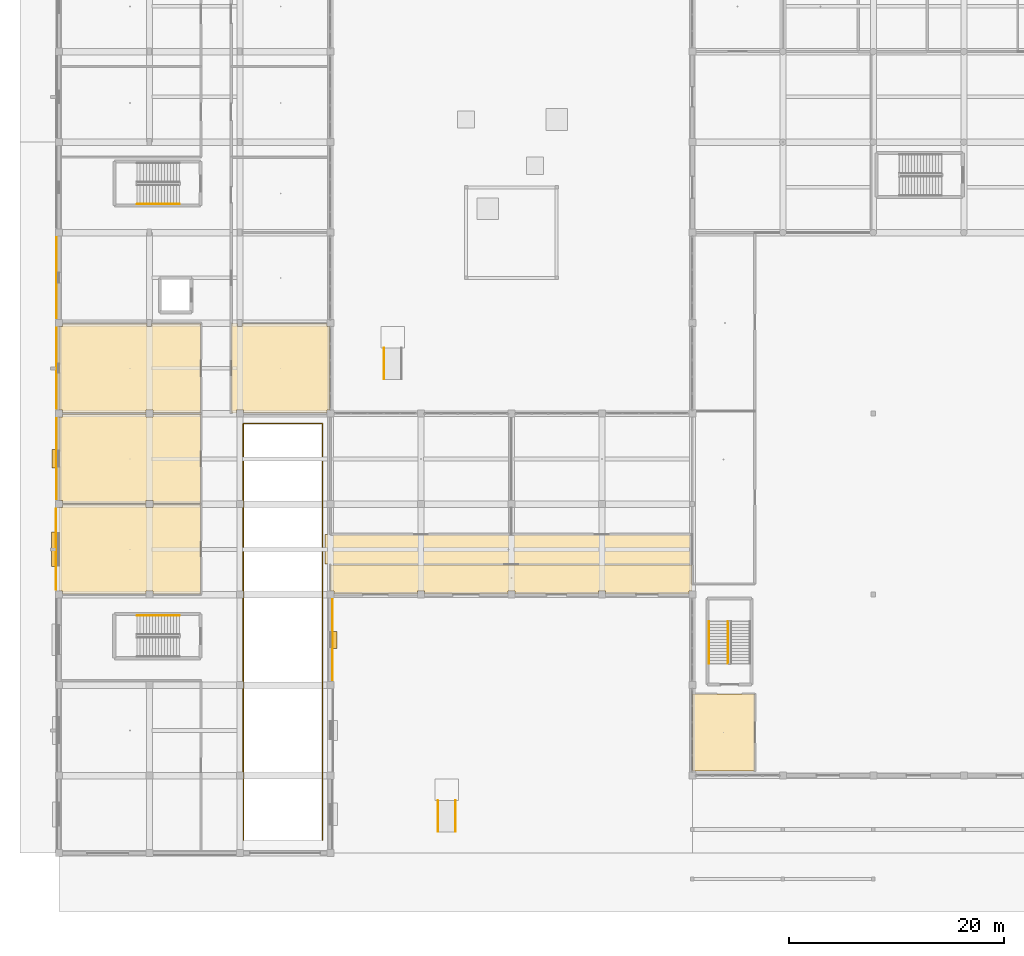
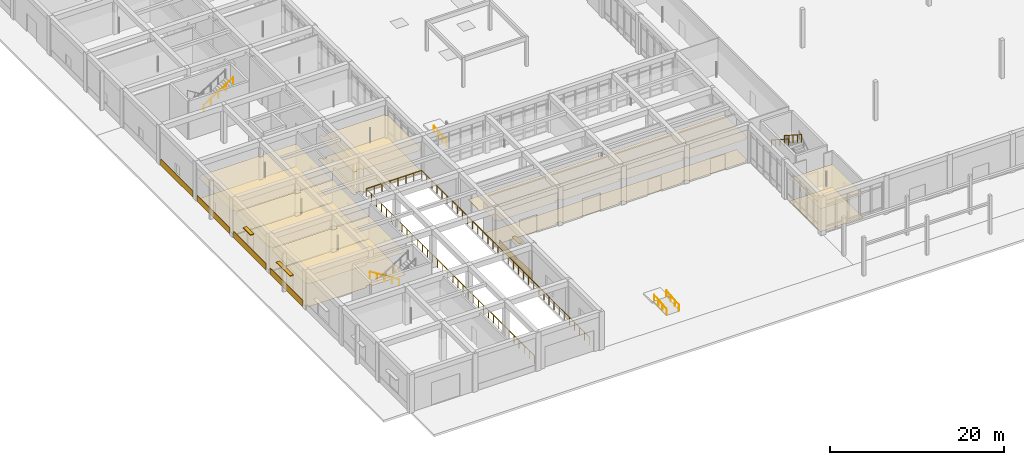
# One storey, part 142 of 167: 18 coverings, 8 railings, 3 shading devices.
"""IFC4 building model written with IfcOpenShell, lengths in metres."""

from ifc_helpers import new_model, si_unit, direction, frame, origin, origin_2d, place, context, subcontext, project, spatial, polyline, rectangle, circle, outline, extrude, material, layer, layer_set, type_object, element, save


model = new_model("IFC4")

# Units and contexts
model_context = context("Model", 3, precision=1e-05, world=origin(), true_north=direction((0.0, 1.0)))
body_context = subcontext(model_context, "Body", "Model", "MODEL_VIEW")
ifc_project = project(units=[si_unit("LENGTHUNIT", "METRE"), si_unit("AREAUNIT", "SQUARE_METRE"), si_unit("VOLUMEUNIT", "CUBIC_METRE"), si_unit("PLANEANGLEUNIT", "RADIAN"), si_unit("MASSUNIT", "GRAM", prefix="KILO")], contexts=[model_context])

# Site, building, storey
site_placement = place(None, origin())
site = spatial("IfcSite", under=ifc_project, at=site_placement, CompositionType="ELEMENT")
building_placement = place(site_placement, origin())
building = spatial("IfcBuilding", under=site, at=building_placement, Name="Varncliffe General Hospital", CompositionType="ELEMENT")
storey_placement = place(building_placement, origin())
storey = spatial("IfcBuildingStorey", under=building, at=storey_placement, Name="L00", CompositionType="ELEMENT", Elevation=0.0)

# Coverings
ifc_material_1 = material(Name="Hygienic antimicrobial acoustic suspended ceiling tile", Category="gypsum")
ifc_layer_1 = layer(ifc_material_1, 0.02490234375)
ifc_layer_set_1 = layer_set([ifc_layer_1], Name="Hygienic antimicrobial acoustic suspended ceiling tile")
covering_type_1 = type_object("IfcCoveringType", Name="Antimicrobial Acoustic Suspended Ceiling CLG44", PredefinedType="CEILING", material=ifc_layer_set_1)
covering_1_placement = place(storey_placement, frame((0.0, 0.0, 3.175048828125)))
element("IfcCovering", 1, at=covering_1_placement, inside=storey, type_object=covering_type_1, Name="L00 Emergency South Corridor L00 Suspended Ceiling", PredefinedType="CEILING", context=body_context, shape_type="SweptSolid", body=[
    extrude(outline(polyline([(58.760009765625, 26.840087890625), (58.760009765625, 29.56005859375), (24.68994140625, 29.56005859375), (24.68994140625, 26.840087890625), (58.760009765625, 26.840087890625)])), origin(), (0.0, 0.0, 1.0), 0.02490234375),
])
covering_2_placement = place(storey_placement, frame((0.0, 0.0, 3.175048828125)))
element("IfcCovering", 2, at=covering_2_placement, inside=storey, type_object=covering_type_1, Name="L00 Fire Command Centre Suspended Ceiling", PredefinedType="CEILING", context=body_context, shape_type="SweptSolid", body=[
    extrude(outline(polyline([(64.56005859375, 7.639892578125), (64.56005859375, 14.760009765625), (58.840087890625, 14.760009765625), (58.840087890625, 7.639892578125), (64.56005859375, 7.639892578125)])), origin(), (0.0, 0.0, 1.0), 0.02490234375),
])
covering_3_placement = place(storey_placement, frame((0.0, 0.0, 3.175048828125)))
element("IfcCovering", 3, at=covering_3_placement, inside=storey, type_object=covering_type_1, Name="L00 Emergency Trauma Resuscitation Bay 1 Suspended Ceiling", PredefinedType="CEILING", context=body_context, shape_type="SweptSolid", body=[
    extrude(outline(polyline([(8.72509765625, 24.0400390625), (8.72509765625, 24.324951171875), (8.074951171875, 24.324951171875), (8.074951171875, 24.0400390625), (0.324951171875, 24.0400390625), (0.324951171875, 24.324951171875), (0.0400390625, 24.324951171875), (0.0400390625, 32.074951171875), (0.324951171875, 32.074951171875), (0.324951171875, 32.360107421875), (8.074951171875, 32.360107421875), (8.074951171875, 32.074951171875), (8.72509765625, 32.074951171875), (8.72509765625, 32.360107421875), (13.159912109375, 32.360107421875), (13.159912109375, 24.0400390625), (8.72509765625, 24.0400390625)])), origin(), (0.0, 0.0, 1.0), 0.02490234375),
])
covering_4_placement = place(storey_placement, frame((0.0, 0.0, 3.175048828125)))
element("IfcCovering", 4, at=covering_4_placement, inside=storey, type_object=covering_type_1, Name="L00 Emergency Trauma Resuscitation Bay 2 Suspended Ceiling", PredefinedType="CEILING", context=body_context, shape_type="SweptSolid", body=[
    extrude(outline(polyline([(8.72509765625, 32.43994140625), (8.72509765625, 32.72509765625), (8.074951171875, 32.72509765625), (8.074951171875, 32.43994140625), (0.324951171875, 32.43994140625), (0.324951171875, 32.72509765625), (0.0400390625, 32.72509765625), (0.0400390625, 40.47509765625), (0.324951171875, 40.47509765625), (0.324951171875, 40.760009765625), (8.074951171875, 40.760009765625), (8.074951171875, 40.47509765625), (8.72509765625, 40.47509765625), (8.72509765625, 40.760009765625), (13.159912109375, 40.760009765625), (13.159912109375, 32.43994140625), (8.72509765625, 32.43994140625)])), origin(), (0.0, 0.0, 1.0), 0.02490234375),
])
covering_5_placement = place(storey_placement, frame((0.0, 0.0, 3.175048828125)))
element("IfcCovering", 5, at=covering_5_placement, inside=storey, type_object=covering_type_1, Name="L00 Emergency Waiting and Triage Reception Suspended Ceiling", PredefinedType="CEILING", context=body_context, shape_type="SweptSolid", body=[
    extrude(outline(polyline([(50.72509765625, 24.324951171875), (50.074951171875, 24.324951171875), (50.074951171875, 24.0400390625), (42.324951171875, 24.0400390625), (42.324951171875, 24.324951171875), (41.675048828125, 24.324951171875), (41.675048828125, 24.0400390625), (33.925048828125, 24.0400390625), (33.925048828125, 24.324951171875), (33.27490234375, 24.324951171875), (33.27490234375, 24.0400390625), (25.52490234375, 24.0400390625), (25.52490234375, 24.324951171875), (25.239990234375, 24.324951171875), (25.239990234375, 26.760009765625), (58.760009765625, 26.760009765625), (58.760009765625, 24.324951171875), (58.47509765625, 24.324951171875), (58.47509765625, 24.0400390625), (50.72509765625, 24.0400390625), (50.72509765625, 24.324951171875)])), origin(), (0.0, 0.0, 1.0), 0.02490234375),
])
covering_6_placement = place(storey_placement, frame((0.0, 0.0, 3.175048828125)))
element("IfcCovering", 6, at=covering_6_placement, inside=storey, type_object=covering_type_1, Name="L00 Diagnostic 3T MRI Imaging Suite 52 Suspended Ceiling", PredefinedType="CEILING", context=body_context, shape_type="SweptSolid", body=[
    extrude(outline(polyline([(8.72509765625, 40.840087890625), (8.72509765625, 41.125), (8.074951171875, 41.125), (8.074951171875, 40.840087890625), (0.324951171875, 40.840087890625), (0.324951171875, 41.125), (0.0400390625, 41.125), (0.0400390625, 48.875), (0.324951171875, 48.875), (0.324951171875, 49.159912109375), (8.175048828125, 49.159912109375), (8.175048828125, 48.875), (8.625, 48.875), (8.625, 49.159912109375), (13.159912109375, 49.159912109375), (13.159912109375, 40.840087890625), (8.72509765625, 40.840087890625)])), origin(), (0.0, 0.0, 1.0), 0.02490234375),
])
covering_7_placement = place(storey_placement, frame((0.0, 0.0, 3.175048828125)))
element("IfcCovering", 7, at=covering_7_placement, inside=storey, type_object=covering_type_1, Name="L00 Diagnostic 3T MRI Imaging Suite 55 Suspended Ceiling", PredefinedType="CEILING", context=body_context, shape_type="SweptSolid", body=[
    extrude(outline(polyline([(16.574951171875, 48.875), (17.02490234375, 48.875), (17.02490234375, 49.159912109375), (24.875, 49.159912109375), (24.875, 48.875), (25.159912109375, 48.875), (25.159912109375, 41.125), (24.875, 41.125), (24.875, 40.840087890625), (17.125, 40.840087890625), (17.125, 41.125), (16.47509765625, 41.125), (16.47509765625, 40.840087890625), (16.0400390625, 40.840087890625), (16.0400390625, 49.159912109375), (16.574951171875, 49.159912109375), (16.574951171875, 48.875)])), origin(), (0.0, 0.0, 1.0), 0.02490234375),
])

# Shading devices
ifc_material_2 = material(Name="Dark bronze extruded aluminium solar jalousie louvres", Category="aluminium")
ifc_layer_2 = layer(ifc_material_2, 0.080078125)
ifc_layer_set_2 = layer_set([ifc_layer_2], Name="Dark bronze extruded aluminium solar jalousie louvres")
shading_device_type = type_object("IfcShadingDeviceType", Name="Bronze Solar Jalousie Louvre Hood SHD18", PredefinedType="JALOUSIE", material=ifc_layer_set_2)
shading_device_1_placement = place(storey_placement, frame((25.614990234375, 19.800048828125, 3.06005859375), z_axis=(0.0, 0.0, 1.0), x_axis=(0.0, -1.0, 0.0)))
element("IfcShadingDevice", 8, at=shading_device_1_placement, inside=storey, type_object=shading_device_type, Name="L00 Bronze Window Sun-Shading Louvre 11", PredefinedType="JALOUSIE", context=body_context, shape_type="SweptSolid", body=[
    extrude(rectangle(XDim=1.60009765625, YDim=0.449951171875, at=origin_2d()), origin(), (0.0, 0.0, 1.0), 0.080078125),
])
shading_device_2_placement = place(storey_placement, frame((-0.449951171875, 28.199951171875, 3.06005859375), z_axis=(0.0, 0.0, 1.0), x_axis=(0.0, 1.0, 0.0)))
element("IfcShadingDevice", 9, at=shading_device_2_placement, inside=storey, type_object=shading_device_type, Name="L00 Bronze Window Sun-Shading Louvre 17", PredefinedType="JALOUSIE", context=body_context, shape_type="SweptSolid", body=[
    extrude(rectangle(XDim=3.199951171875, YDim=0.449951171875, at=origin_2d()), origin(), (0.0, 0.0, 1.0), 0.080078125),
])
shading_device_3_placement = place(storey_placement, frame((-0.425048828125, 36.60009765625, 3.260009765625), z_axis=(0.0, 0.0, 1.0), x_axis=(0.0, 1.0, 0.0)))
element("IfcShadingDevice", 10, at=shading_device_3_placement, inside=storey, type_object=shading_device_type, Name="L00 Bronze Window Sun-Shading Louvre 18", PredefinedType="JALOUSIE", context=body_context, shape_type="SweptSolid", body=[
    extrude(rectangle(XDim=1.699951171875, YDim=0.449951171875, at=origin_2d()), origin(), (0.0, 0.0, 1.0), 0.080078125),
])

# Coverings
ifc_material_3 = material(Name="Credit Valley buff limestone ashlar cladding", Category="masonry")
ifc_layer_3 = layer(ifc_material_3, 0.050048828125)
ifc_layer_set_3 = layer_set([ifc_layer_3], Name="Credit Valley buff limestone ashlar cladding")
covering_type_2 = type_object("IfcCoveringType", Name="Credit Valley Limestone Ashlar Plinth Cladding CLD17", PredefinedType="CLADDING", material=ifc_layer_set_3)
for number, where, z_axis, x_axis, name in (
    (11, (-0.22509765625, 45.0, 0.010009765625), (0.0, 0.0, 1.0), (0.0, 1.0, 0.0), "L00 Limestone Base Cladding 1"),
    (12, (-0.215087890625, 53.39990234375, 0.010009765625), (0.0, 0.0, 1.0), (0.0, 1.0, 0.0), "L00 Limestone Base Cladding 2"),
    (13, (25.4150390625, 19.800048828125, 0.010009765625), (0.0, 0.0, 1.0), (0.0, -1.0, 0.0), "L00 Limestone Base Cladding 40"),
    (14, (-0.25, 28.199951171875, 0.010009765625), (0.0, 0.0, 1.0), (0.0, 1.0, 0.0), "L00 Limestone Base Cladding 47"),
    (15, (-0.22509765625, 36.60009765625, 0.010009765625), (0.0, 0.0, 1.0), (0.0, 1.0, 0.0), "L00 Limestone Base Cladding 48"),
):
    element("IfcCovering", number, at=place(storey_placement, frame(where, z_axis=z_axis, x_axis=x_axis)), inside=storey, type_object=covering_type_2, Name=name, PredefinedType="CLADDING", context=body_context, shape_type="SweptSolid", body=[
        extrude(rectangle(XDim=7.513916015625, YDim=0.050048828125, at=origin_2d()), origin(), (0.0, 0.0, 1.0), 0.8798828125),
    ])

# Railing
ifc_material_4 = material(Name="Powder-coated wrought-iron and bronze balustrade", Category="steel")
railing_type_1 = type_object("IfcRailingType", Name="Perimeter Safety Guardrail GR27", PredefinedType="GUARDRAIL", material=ifc_material_4)
railing_1_placement = place(storey_placement, frame((17.1201171875, 1.199951171875, 0.0)))
element("IfcRailing", 16, at=railing_1_placement, inside=storey, type_object=railing_type_1, Name="L00 Car-Park Ramp Shaft Perimeter Guardrail", PredefinedType="GUARDRAIL", context=body_context, shape_type="SweptSolid", body=[
    extrude(circle(Radius=0.02392578125, at=origin_2d()), frame((0.0, 0.0, 1.09619140625), z_axis=(0.0, 1.0, 0.0), x_axis=(-1.0, 0.0, 0.0)), (0.0, 0.0, 1.0), 38.679931640625),
    extrude(circle(Radius=0.02392578125, at=origin_2d()), frame((0.0, 38.679931640625, 1.09619140625), z_axis=(1.0, 0.0, 0.0), x_axis=(0.0, 1.0, 0.0)), (0.0, 0.0, 1.0), 7.35986328125),
    extrude(circle(Radius=0.02392578125, at=origin_2d()), frame((7.35986328125, 38.679931640625, 1.09619140625), z_axis=(0.0, -1.0, 0.0), x_axis=(1.0, 0.0, 0.0)), (0.0, 0.0, 1.0), 38.679931640625),
    extrude(circle(Radius=0.02099609375, at=origin_2d()), origin(), (0.0, 0.0, 1.0), 1.072021484375),
    extrude(circle(Radius=0.02099609375, at=origin_2d()), frame((0.0, 1.172119140625, 0.0)), (0.0, 0.0, 1.0), 1.072021484375),
    extrude(circle(Radius=0.02099609375, at=origin_2d()), frame((0.0, 2.34423828125, 0.0)), (0.0, 0.0, 1.0), 1.072021484375),
    extrude(circle(Radius=0.02099609375, at=origin_2d()), frame((0.0, 3.516357421875, 0.0)), (0.0, 0.0, 1.0), 1.072021484375),
    extrude(circle(Radius=0.02099609375, at=origin_2d()), frame((0.0, 4.6884765625, 0.0)), (0.0, 0.0, 1.0), 1.072021484375),
    extrude(circle(Radius=0.02099609375, at=origin_2d()), frame((0.0, 5.860595703125, 0.0)), (0.0, 0.0, 1.0), 1.072021484375),
    extrude(circle(Radius=0.02099609375, at=origin_2d()), frame((0.0, 7.03271484375, 0.0)), (0.0, 0.0, 1.0), 1.072021484375),
    extrude(circle(Radius=0.02099609375, at=origin_2d()), frame((0.0, 8.204833984375, 0.0)), (0.0, 0.0, 1.0), 1.072021484375),
    extrude(circle(Radius=0.02099609375, at=origin_2d()), frame((0.0, 9.376953125, 0.0)), (0.0, 0.0, 1.0), 1.072021484375),
    extrude(circle(Radius=0.02099609375, at=origin_2d()), frame((0.0, 10.549072265625, 0.0)), (0.0, 0.0, 1.0), 1.072021484375),
    extrude(circle(Radius=0.02099609375, at=origin_2d()), frame((0.0, 11.72119140625, 0.0)), (0.0, 0.0, 1.0), 1.072021484375),
    extrude(circle(Radius=0.02099609375, at=origin_2d()), frame((0.0, 12.893310546875, 0.0)), (0.0, 0.0, 1.0), 1.072021484375),
    extrude(circle(Radius=0.02099609375, at=origin_2d()), frame((0.0, 14.0654296875, 0.0)), (0.0, 0.0, 1.0), 1.072021484375),
    extrude(circle(Radius=0.02099609375, at=origin_2d()), frame((0.0, 15.237548828125, 0.0)), (0.0, 0.0, 1.0), 1.072021484375),
    extrude(circle(Radius=0.02099609375, at=origin_2d()), frame((0.0, 16.40966796875, 0.0)), (0.0, 0.0, 1.0), 1.072021484375),
    extrude(circle(Radius=0.02099609375, at=origin_2d()), frame((0.0, 17.581787109375, 0.0)), (0.0, 0.0, 1.0), 1.072021484375),
    extrude(circle(Radius=0.02099609375, at=origin_2d()), frame((0.0, 18.75390625, 0.0)), (0.0, 0.0, 1.0), 1.072021484375),
    extrude(circle(Radius=0.02099609375, at=origin_2d()), frame((0.0, 19.926025390625, 0.0)), (0.0, 0.0, 1.0), 1.072021484375),
    extrude(circle(Radius=0.02099609375, at=origin_2d()), frame((0.0, 21.09814453125, 0.0)), (0.0, 0.0, 1.0), 1.072021484375),
    extrude(circle(Radius=0.02099609375, at=origin_2d()), frame((0.0, 22.270263671875, 0.0)), (0.0, 0.0, 1.0), 1.072021484375),
    extrude(circle(Radius=0.02099609375, at=origin_2d()), frame((0.0, 23.4423828125, 0.0)), (0.0, 0.0, 1.0), 1.072021484375),
    extrude(circle(Radius=0.02099609375, at=origin_2d()), frame((0.0, 24.614501953125, 0.0)), (0.0, 0.0, 1.0), 1.072021484375),
    extrude(circle(Radius=0.02099609375, at=origin_2d()), frame((0.0, 25.78662109375, 0.0)), (0.0, 0.0, 1.0), 1.072021484375),
    extrude(circle(Radius=0.02099609375, at=origin_2d()), frame((0.0, 26.958740234375, 0.0)), (0.0, 0.0, 1.0), 1.072021484375),
    extrude(circle(Radius=0.02099609375, at=origin_2d()), frame((0.0, 28.130859375, 0.0)), (0.0, 0.0, 1.0), 1.072021484375),
    extrude(circle(Radius=0.02099609375, at=origin_2d()), frame((0.0, 29.302978515625, 0.0)), (0.0, 0.0, 1.0), 1.072021484375),
    extrude(circle(Radius=0.02099609375, at=origin_2d()), frame((0.0, 30.47509765625, 0.0)), (0.0, 0.0, 1.0), 1.072021484375),
    extrude(circle(Radius=0.02099609375, at=origin_2d()), frame((0.0, 31.647216796875, 0.0)), (0.0, 0.0, 1.0), 1.072021484375),
    extrude(circle(Radius=0.02099609375, at=origin_2d()), frame((0.0, 32.8193359375, 0.0)), (0.0, 0.0, 1.0), 1.072021484375),
    extrude(circle(Radius=0.02099609375, at=origin_2d()), frame((0.0, 33.991455078125, 0.0)), (0.0, 0.0, 1.0), 1.072021484375),
    extrude(circle(Radius=0.02099609375, at=origin_2d()), frame((0.0, 35.16357421875, 0.0)), (0.0, 0.0, 1.0), 1.072021484375),
    extrude(circle(Radius=0.02099609375, at=origin_2d()), frame((0.0, 36.335693359375, 0.0)), (0.0, 0.0, 1.0), 1.072021484375),
    extrude(circle(Radius=0.02099609375, at=origin_2d()), frame((0.0, 37.5078125, 0.0)), (0.0, 0.0, 1.0), 1.072021484375),
    extrude(circle(Radius=0.02099609375, at=origin_2d()), frame((0.0, 38.679931640625, 0.0)), (0.0, 0.0, 1.0), 1.072021484375),
    extrude(circle(Radius=0.02099609375, at=origin_2d()), frame((1.051513671875, 38.679931640625, 0.0)), (0.0, 0.0, 1.0), 1.072021484375),
    extrude(circle(Radius=0.02099609375, at=origin_2d()), frame((2.102783203125, 38.679931640625, 0.0)), (0.0, 0.0, 1.0), 1.072021484375),
    extrude(circle(Radius=0.02099609375, at=origin_2d()), frame((3.154296875, 38.679931640625, 0.0)), (0.0, 0.0, 1.0), 1.072021484375),
    extrude(circle(Radius=0.02099609375, at=origin_2d()), frame((4.20556640625, 38.679931640625, 0.0)), (0.0, 0.0, 1.0), 1.072021484375),
    extrude(circle(Radius=0.02099609375, at=origin_2d()), frame((5.257080078125, 38.679931640625, 0.0)), (0.0, 0.0, 1.0), 1.072021484375),
    extrude(circle(Radius=0.02099609375, at=origin_2d()), frame((6.308349609375, 38.679931640625, 0.0)), (0.0, 0.0, 1.0), 1.072021484375),
    extrude(circle(Radius=0.02099609375, at=origin_2d()), frame((7.35986328125, 38.679931640625, 0.0)), (0.0, 0.0, 1.0), 1.072021484375),
    extrude(circle(Radius=0.02099609375, at=origin_2d()), frame((7.35986328125, 37.5078125, 0.0)), (0.0, 0.0, 1.0), 1.072021484375),
    extrude(circle(Radius=0.02099609375, at=origin_2d()), frame((7.35986328125, 36.335693359375, 0.0)), (0.0, 0.0, 1.0), 1.072021484375),
    extrude(circle(Radius=0.02099609375, at=origin_2d()), frame((7.35986328125, 35.16357421875, 0.0)), (0.0, 0.0, 1.0), 1.072021484375),
    extrude(circle(Radius=0.02099609375, at=origin_2d()), frame((7.35986328125, 33.991455078125, 0.0)), (0.0, 0.0, 1.0), 1.072021484375),
    extrude(circle(Radius=0.02099609375, at=origin_2d()), frame((7.35986328125, 32.8193359375, 0.0)), (0.0, 0.0, 1.0), 1.072021484375),
    extrude(circle(Radius=0.02099609375, at=origin_2d()), frame((7.35986328125, 31.647216796875, 0.0)), (0.0, 0.0, 1.0), 1.072021484375),
    extrude(circle(Radius=0.02099609375, at=origin_2d()), frame((7.35986328125, 30.47509765625, 0.0)), (0.0, 0.0, 1.0), 1.072021484375),
    extrude(circle(Radius=0.02099609375, at=origin_2d()), frame((7.35986328125, 29.302978515625, 0.0)), (0.0, 0.0, 1.0), 1.072021484375),
    extrude(circle(Radius=0.02099609375, at=origin_2d()), frame((7.35986328125, 28.130859375, 0.0)), (0.0, 0.0, 1.0), 1.072021484375),
    extrude(circle(Radius=0.02099609375, at=origin_2d()), frame((7.35986328125, 26.958740234375, 0.0)), (0.0, 0.0, 1.0), 1.072021484375),
    extrude(circle(Radius=0.02099609375, at=origin_2d()), frame((7.35986328125, 25.78662109375, 0.0)), (0.0, 0.0, 1.0), 1.072021484375),
    extrude(circle(Radius=0.02099609375, at=origin_2d()), frame((7.35986328125, 24.614501953125, 0.0)), (0.0, 0.0, 1.0), 1.072021484375),
    extrude(circle(Radius=0.02099609375, at=origin_2d()), frame((7.35986328125, 23.4423828125, 0.0)), (0.0, 0.0, 1.0), 1.072021484375),
    extrude(circle(Radius=0.02099609375, at=origin_2d()), frame((7.35986328125, 22.270263671875, 0.0)), (0.0, 0.0, 1.0), 1.072021484375),
    extrude(circle(Radius=0.02099609375, at=origin_2d()), frame((7.35986328125, 21.09814453125, 0.0)), (0.0, 0.0, 1.0), 1.072021484375),
    extrude(circle(Radius=0.02099609375, at=origin_2d()), frame((7.35986328125, 19.926025390625, 0.0)), (0.0, 0.0, 1.0), 1.072021484375),
    extrude(circle(Radius=0.02099609375, at=origin_2d()), frame((7.35986328125, 18.75390625, 0.0)), (0.0, 0.0, 1.0), 1.072021484375),
    extrude(circle(Radius=0.02099609375, at=origin_2d()), frame((7.35986328125, 17.581787109375, 0.0)), (0.0, 0.0, 1.0), 1.072021484375),
    extrude(circle(Radius=0.02099609375, at=origin_2d()), frame((7.35986328125, 16.40966796875, 0.0)), (0.0, 0.0, 1.0), 1.072021484375),
    extrude(circle(Radius=0.02099609375, at=origin_2d()), frame((7.35986328125, 15.237548828125, 0.0)), (0.0, 0.0, 1.0), 1.072021484375),
    extrude(circle(Radius=0.02099609375, at=origin_2d()), frame((7.35986328125, 14.0654296875, 0.0)), (0.0, 0.0, 1.0), 1.072021484375),
    extrude(circle(Radius=0.02099609375, at=origin_2d()), frame((7.35986328125, 12.893310546875, 0.0)), (0.0, 0.0, 1.0), 1.072021484375),
    extrude(circle(Radius=0.02099609375, at=origin_2d()), frame((7.35986328125, 11.72119140625, 0.0)), (0.0, 0.0, 1.0), 1.072021484375),
    extrude(circle(Radius=0.02099609375, at=origin_2d()), frame((7.35986328125, 10.549072265625, 0.0)), (0.0, 0.0, 1.0), 1.072021484375),
    extrude(circle(Radius=0.02099609375, at=origin_2d()), frame((7.35986328125, 9.376953125, 0.0)), (0.0, 0.0, 1.0), 1.072021484375),
    extrude(circle(Radius=0.02099609375, at=origin_2d()), frame((7.35986328125, 8.204833984375, 0.0)), (0.0, 0.0, 1.0), 1.072021484375),
    extrude(circle(Radius=0.02099609375, at=origin_2d()), frame((7.35986328125, 7.03271484375, 0.0)), (0.0, 0.0, 1.0), 1.072021484375),
    extrude(circle(Radius=0.02099609375, at=origin_2d()), frame((7.35986328125, 5.860595703125, 0.0)), (0.0, 0.0, 1.0), 1.072021484375),
    extrude(circle(Radius=0.02099609375, at=origin_2d()), frame((7.35986328125, 4.6884765625, 0.0)), (0.0, 0.0, 1.0), 1.072021484375),
    extrude(circle(Radius=0.02099609375, at=origin_2d()), frame((7.35986328125, 3.516357421875, 0.0)), (0.0, 0.0, 1.0), 1.072021484375),
    extrude(circle(Radius=0.02099609375, at=origin_2d()), frame((7.35986328125, 2.34423828125, 0.0)), (0.0, 0.0, 1.0), 1.072021484375),
    extrude(circle(Radius=0.02099609375, at=origin_2d()), frame((7.35986328125, 1.172119140625, 0.0)), (0.0, 0.0, 1.0), 1.072021484375),
    extrude(circle(Radius=0.02099609375, at=origin_2d()), frame((7.35986328125, 0.0, 0.0)), (0.0, 0.0, 1.0), 1.072021484375),
])

# Coverings
ifc_material_5 = material(Name="Seamless welded hospital sheet linoleum and terrazzo flooring", Category="linoleum")
ifc_layer_4 = layer(ifc_material_5, 0.011962890625)
ifc_layer_set_4 = layer_set([ifc_layer_4], Name="Seamless welded hospital sheet linoleum and terrazzo flooring")
covering_type_3 = type_object("IfcCoveringType", Name="Seamless Hospital Linoleum Flooring FLR19", PredefinedType="FLOORING", material=ifc_layer_set_4)
covering_8_placement = place(storey_placement, origin())
element("IfcCovering", 17, at=covering_8_placement, inside=storey, type_object=covering_type_3, Name="L00 Fire Command Centre Seamless Flooring", PredefinedType="FLOORING", context=body_context, shape_type="SweptSolid", body=[
    extrude(outline(polyline([(64.56005859375, 7.639892578125), (64.56005859375, 14.760009765625), (58.840087890625, 14.760009765625), (58.840087890625, 7.639892578125), (64.56005859375, 7.639892578125)])), origin(), (0.0, 0.0, 1.0), 0.011962890625),
])
covering_9_placement = place(storey_placement, origin())
element("IfcCovering", 18, at=covering_9_placement, inside=storey, type_object=covering_type_3, Name="L00 Emergency Trauma Resuscitation Bay 1 Seamless Flooring", PredefinedType="FLOORING", context=body_context, shape_type="SweptSolid", body=[
    extrude(outline(polyline([(8.72509765625, 24.0400390625), (8.72509765625, 24.324951171875), (8.074951171875, 24.324951171875), (8.074951171875, 24.0400390625), (0.324951171875, 24.0400390625), (0.324951171875, 24.324951171875), (0.0400390625, 24.324951171875), (0.0400390625, 32.074951171875), (0.324951171875, 32.074951171875), (0.324951171875, 32.360107421875), (8.074951171875, 32.360107421875), (8.074951171875, 32.074951171875), (8.72509765625, 32.074951171875), (8.72509765625, 32.360107421875), (13.159912109375, 32.360107421875), (13.159912109375, 24.0400390625), (8.72509765625, 24.0400390625)])), origin(), (0.0, 0.0, 1.0), 0.011962890625),
])
covering_10_placement = place(storey_placement, origin())
element("IfcCovering", 19, at=covering_10_placement, inside=storey, type_object=covering_type_3, Name="L00 Emergency Trauma Resuscitation Bay 2 Seamless Flooring", PredefinedType="FLOORING", context=body_context, shape_type="SweptSolid", body=[
    extrude(outline(polyline([(8.72509765625, 32.43994140625), (8.72509765625, 32.72509765625), (8.074951171875, 32.72509765625), (8.074951171875, 32.43994140625), (0.324951171875, 32.43994140625), (0.324951171875, 32.72509765625), (0.0400390625, 32.72509765625), (0.0400390625, 40.47509765625), (0.324951171875, 40.47509765625), (0.324951171875, 40.760009765625), (8.074951171875, 40.760009765625), (8.074951171875, 40.47509765625), (8.72509765625, 40.47509765625), (8.72509765625, 40.760009765625), (13.159912109375, 40.760009765625), (13.159912109375, 32.43994140625), (8.72509765625, 32.43994140625)])), origin(), (0.0, 0.0, 1.0), 0.011962890625),
])
covering_11_placement = place(storey_placement, origin())
element("IfcCovering", 20, at=covering_11_placement, inside=storey, type_object=covering_type_3, Name="L00 Emergency Waiting and Triage Reception Seamless Flooring", PredefinedType="FLOORING", context=body_context, shape_type="SweptSolid", body=[
    extrude(outline(polyline([(50.72509765625, 24.324951171875), (50.074951171875, 24.324951171875), (50.074951171875, 24.0400390625), (42.324951171875, 24.0400390625), (42.324951171875, 24.324951171875), (41.675048828125, 24.324951171875), (41.675048828125, 24.0400390625), (33.925048828125, 24.0400390625), (33.925048828125, 24.324951171875), (33.27490234375, 24.324951171875), (33.27490234375, 24.0400390625), (25.52490234375, 24.0400390625), (25.52490234375, 24.324951171875), (25.239990234375, 24.324951171875), (25.239990234375, 26.760009765625), (58.760009765625, 26.760009765625), (58.760009765625, 24.324951171875), (58.47509765625, 24.324951171875), (58.47509765625, 24.0400390625), (50.72509765625, 24.0400390625), (50.72509765625, 24.324951171875)])), origin(), (0.0, 0.0, 1.0), 0.011962890625),
])
covering_12_placement = place(storey_placement, origin())
element("IfcCovering", 21, at=covering_12_placement, inside=storey, type_object=covering_type_3, Name="L00 Diagnostic 3T MRI Imaging Suite 52 Seamless Flooring", PredefinedType="FLOORING", context=body_context, shape_type="SweptSolid", body=[
    extrude(outline(polyline([(8.72509765625, 40.840087890625), (8.72509765625, 41.125), (8.074951171875, 41.125), (8.074951171875, 40.840087890625), (0.324951171875, 40.840087890625), (0.324951171875, 41.125), (0.0400390625, 41.125), (0.0400390625, 48.875), (0.324951171875, 48.875), (0.324951171875, 49.159912109375), (8.175048828125, 49.159912109375), (8.175048828125, 48.875), (8.625, 48.875), (8.625, 49.159912109375), (13.159912109375, 49.159912109375), (13.159912109375, 40.840087890625), (8.72509765625, 40.840087890625)])), origin(), (0.0, 0.0, 1.0), 0.011962890625),
])
covering_13_placement = place(storey_placement, origin())
element("IfcCovering", 22, at=covering_13_placement, inside=storey, type_object=covering_type_3, Name="L00 Diagnostic 3T MRI Imaging Suite 55 Seamless Flooring", PredefinedType="FLOORING", context=body_context, shape_type="SweptSolid", body=[
    extrude(outline(polyline([(16.574951171875, 48.875), (17.02490234375, 48.875), (17.02490234375, 49.159912109375), (24.875, 49.159912109375), (24.875, 48.875), (25.159912109375, 48.875), (25.159912109375, 41.125), (24.875, 41.125), (24.875, 40.840087890625), (17.125, 40.840087890625), (17.125, 41.125), (16.47509765625, 41.125), (16.47509765625, 40.840087890625), (16.0400390625, 40.840087890625), (16.0400390625, 49.159912109375), (16.574951171875, 49.159912109375), (16.574951171875, 48.875)])), origin(), (0.0, 0.0, 1.0), 0.011962890625),
])

# Railings
ifc_material_6 = material(Name="Powder-coated hospital steel guardrail and handrail", Category="steel")
railing_type_2 = type_object("IfcRailingType", Name="Stair and Ramp Handrail HR46", PredefinedType="HANDRAIL", material=ifc_material_6)
railing_2_placement = place(storey_placement, frame((7.280029296875, 60.25, 3.06396484375)))
element("IfcRailing", 23, at=railing_2_placement, inside=storey, type_object=railing_type_2, Name="L00 ST05 stair handrail 2", PredefinedType="HANDRAIL", context=body_context, shape_type="SweptSolid", body=[
    extrude(circle(Radius=0.02392578125, at=origin_2d()), frame((0.0, 0.0, 0.8759765625), z_axis=(0.841171666519, 0.0, 0.540768182723), x_axis=(0.0, 1.0, 0.0)), (0.0, 0.0, 1.0), 4.66015625),
    extrude(circle(Radius=0.02099609375, at=origin_2d()), origin(), (0.0, 0.0, 1.0), 0.851806640625),
    extrude(circle(Radius=0.02099609375, at=origin_2d()), frame((0.97998046875, 0.0, 0.6298828125)), (0.0, 0.0, 1.0), 0.851806640625),
    extrude(circle(Radius=0.02099609375, at=origin_2d()), frame((1.9599609375, 0.0, 1.260009765625)), (0.0, 0.0, 1.0), 0.851806640625),
    extrude(circle(Radius=0.02099609375, at=origin_2d()), frame((2.93994140625, 0.0, 1.89013671875)), (0.0, 0.0, 1.0), 0.851806640625),
    extrude(circle(Radius=0.02099609375, at=origin_2d()), frame((3.919921875, 0.0, 2.52001953125)), (0.0, 0.0, 1.0), 0.851806640625),
])
railing_3_placement = place(storey_placement, frame((11.199951171875, 22.050048828125, 0.364013671875)))
element("IfcRailing", 24, at=railing_3_placement, inside=storey, type_object=railing_type_2, Name="L00 ST08 stair handrail 1", PredefinedType="HANDRAIL", context=body_context, shape_type="SweptSolid", body=[
    extrude(circle(Radius=0.02392578125, at=origin_2d()), frame((0.0, 0.0, 0.8759765625), z_axis=(-0.841171666519, 0.0, 0.540768182723), x_axis=(0.0, -1.0, 0.0)), (0.0, 0.0, 1.0), 4.66015625),
    extrude(circle(Radius=0.02099609375, at=origin_2d()), origin(), (0.0, 0.0, 1.0), 0.851806640625),
    extrude(circle(Radius=0.02099609375, at=origin_2d()), frame((-0.97998046875, 0.0, 0.6298828125)), (0.0, 0.0, 1.0), 0.851806640625),
    extrude(circle(Radius=0.02099609375, at=origin_2d()), frame((-1.9599609375, 0.0, 1.260009765625)), (0.0, 0.0, 1.0), 0.851806640625),
    extrude(circle(Radius=0.02099609375, at=origin_2d()), frame((-2.93994140625, 0.0, 1.89013671875)), (0.0, 0.0, 1.0), 0.851806640625),
    extrude(circle(Radius=0.02099609375, at=origin_2d()), frame((-3.919921875, 0.0, 2.52001953125)), (0.0, 0.0, 1.0), 0.851806640625),
])
railing_4_placement = place(storey_placement, frame((60.35009765625, 21.52001953125, 3.06396484375)))
element("IfcRailing", 25, at=railing_4_placement, inside=storey, type_object=railing_type_2, Name="L00 ST09 stair handrail 2", PredefinedType="HANDRAIL", context=body_context, shape_type="SweptSolid", body=[
    extrude(circle(Radius=0.02392578125, at=origin_2d()), frame((0.0, 0.0, 0.8759765625), z_axis=(0.0, -0.841171666519, 0.540768182723), x_axis=(1.0, 0.0, 0.0)), (0.0, 0.0, 1.0), 4.66015625),
    extrude(circle(Radius=0.02099609375, at=origin_2d()), origin(), (0.0, 0.0, 1.0), 0.851806640625),
    extrude(circle(Radius=0.02099609375, at=origin_2d()), frame((0.0, -0.97998046875, 0.6298828125)), (0.0, 0.0, 1.0), 0.851806640625),
    extrude(circle(Radius=0.02099609375, at=origin_2d()), frame((0.0, -1.9599609375, 1.260009765625)), (0.0, 0.0, 1.0), 0.851806640625),
    extrude(circle(Radius=0.02099609375, at=origin_2d()), frame((0.0, -2.93994140625, 1.89013671875)), (0.0, 0.0, 1.0), 0.851806640625),
    extrude(circle(Radius=0.02099609375, at=origin_2d()), frame((0.0, -3.919921875, 2.52001953125)), (0.0, 0.0, 1.0), 0.851806640625),
])
for number, where, name in (
    (26, (35.179931640625, 2.0, 0.0), "South-West Forecourt Barrier-Free Ramp Handrail L"),
    (27, (36.820068359375, 2.0, 0.0), "South-West Forecourt Barrier-Free Ramp Handrail R"),
    (28, (30.179931640625, 44.0, 0.0), "West Cloister Garden Barrier-Free Ramp Handrail L"),
):
    element("IfcRailing", number, at=place(storey_placement, frame(where)), inside=storey, type_object=railing_type_2, Name=name, PredefinedType="HANDRAIL", context=body_context, shape_type="SweptSolid", body=[
        extrude(circle(Radius=0.02392578125, at=origin_2d()), frame((0.0, 0.0, 0.8759765625), z_axis=(0.0, 0.996545758245, 0.083045479854), x_axis=(-1.0, 0.0, 0.0)), (0.0, 0.0, 1.0), 2.889892578125),
        extrude(circle(Radius=0.02099609375, at=origin_2d()), origin(), (0.0, 0.0, 1.0), 0.851806640625),
        extrude(circle(Radius=0.02099609375, at=origin_2d()), frame((0.0, 0.9599609375, 0.080078125)), (0.0, 0.0, 1.0), 0.851806640625),
        extrude(circle(Radius=0.02099609375, at=origin_2d()), frame((0.0, 1.919921875, 0.159912109375)), (0.0, 0.0, 1.0), 0.851806640625),
        extrude(circle(Radius=0.02099609375, at=origin_2d()), frame((0.0, 2.8798828125, 0.239990234375)), (0.0, 0.0, 1.0), 0.851806640625),
    ])
railing_type_3 = type_object("IfcRailingType", Name="Stairwell Guardrail SG49", PredefinedType="GUARDRAIL", material=ifc_material_6)
railing_5_placement = place(storey_placement, frame((62.10009765625, 21.52001953125, 2.8798828125)))
element("IfcRailing", 29, at=railing_5_placement, inside=storey, type_object=railing_type_3, Name="L00 ST09 stair guard 3", PredefinedType="GUARDRAIL", context=body_context, shape_type="SweptSolid", body=[
    extrude(circle(Radius=0.02392578125, at=origin_2d()), frame((0.0, 0.0, 1.076171875), z_axis=(0.0, -0.841171666519, 0.540768182723), x_axis=(1.0, 0.0, 0.0)), (0.0, 0.0, 1.0), 4.66015625),
    extrude(circle(Radius=0.02099609375, at=origin_2d()), origin(), (0.0, 0.0, 1.0), 1.052001953125),
    extrude(circle(Radius=0.02099609375, at=origin_2d()), frame((0.0, -0.97998046875, 0.6298828125)), (0.0, 0.0, 1.0), 1.052001953125),
    extrude(circle(Radius=0.02099609375, at=origin_2d()), frame((0.0, -1.9599609375, 1.260009765625)), (0.0, 0.0, 1.0), 1.052001953125),
    extrude(circle(Radius=0.02099609375, at=origin_2d()), frame((0.0, -2.93994140625, 1.89013671875)), (0.0, 0.0, 1.0), 1.052001953125),
    extrude(circle(Radius=0.02099609375, at=origin_2d()), frame((0.0, -3.919921875, 2.52001953125)), (0.0, 0.0, 1.0), 1.052001953125),
])

save(model, "model.ifc")
